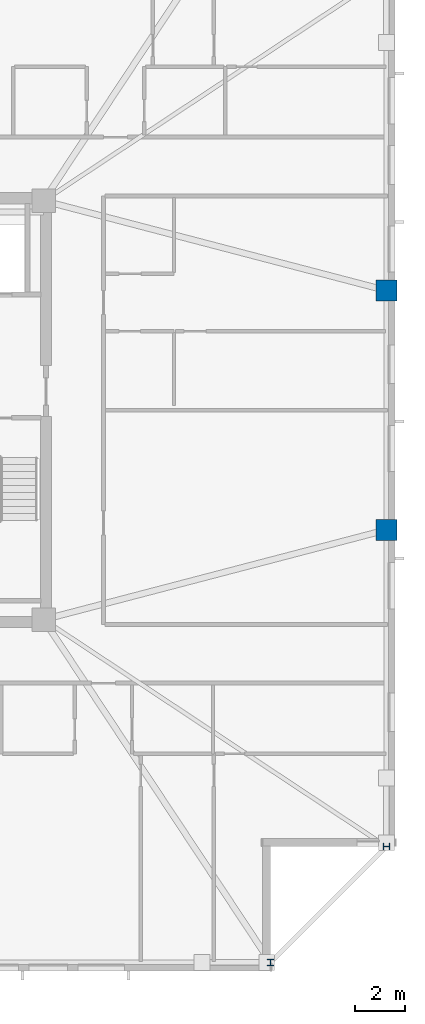
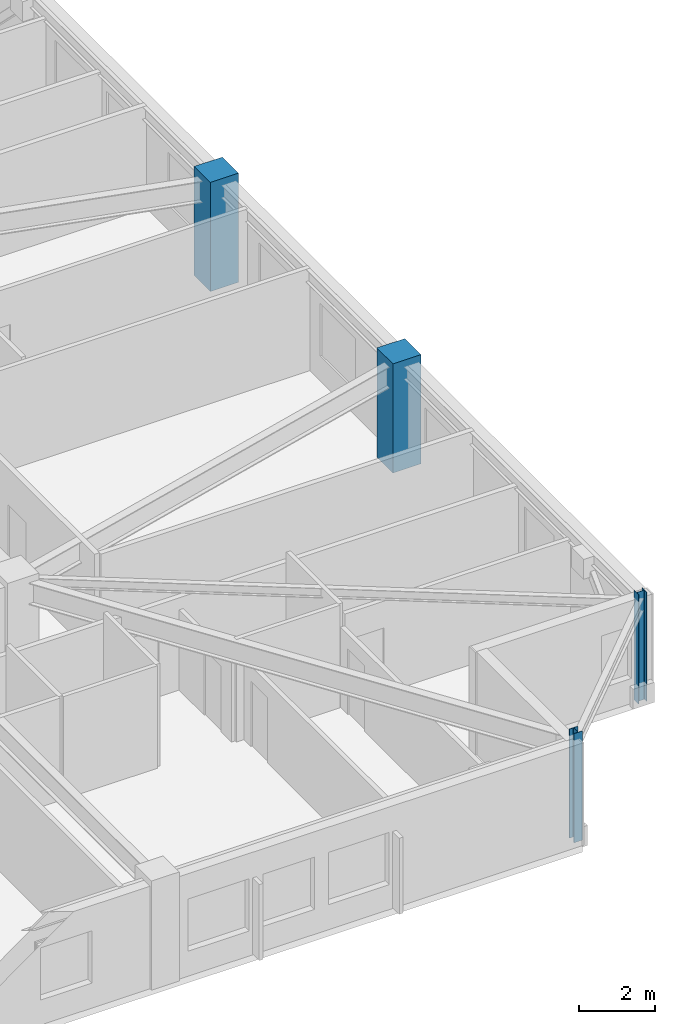
# One storey, part 3 of 17: 4 columns.
"""IFC4 building model written with IfcOpenShell, lengths in metres."""

from ifc_helpers import new_model, si_unit, direction, frame, origin, origin_2d, place, context, subcontext, project, spatial, rectangle, i_section, extrude, material, material_profile, profile_set, type_object, element, save


model = new_model("IFC4")

# Units and contexts
model_context = context("Model", 3, precision=1e-05, world=origin(), true_north=direction((0.0, 1.0)))
body_context = subcontext(model_context, "Body", "Model", "MODEL_VIEW")
ifc_project = project(units=[si_unit("LENGTHUNIT", "METRE"), si_unit("AREAUNIT", "SQUARE_METRE"), si_unit("VOLUMEUNIT", "CUBIC_METRE"), si_unit("PLANEANGLEUNIT", "RADIAN"), si_unit("MASSUNIT", "GRAM", prefix="KILO")], contexts=[model_context])

# Site, building, storey
site_placement = place(None, origin())
site = spatial("IfcSite", under=ifc_project, at=site_placement, CompositionType="ELEMENT")
building_placement = place(site_placement, origin())
building = spatial("IfcBuilding", under=site, at=building_placement, Name="Cairnveth Concourse Tower", CompositionType="ELEMENT")
storey_placement = place(building_placement, frame((0.0, 0.0, 209.5)))
storey = spatial("IfcBuildingStorey", under=building, at=storey_placement, Name="L57", CompositionType="ELEMENT", Elevation=209.5)

# Columns
ifc_material_1 = material(Name="Concrete N65 (65 MPa)", Category="concrete")
ifc_material_profile_1 = material_profile(ifc_material_1, rectangle(XDim=0.85009765625, YDim=0.85009765625, at=origin_2d()), Name="RC-COL-850x850")
ifc_profile_set_1 = profile_set([ifc_material_profile_1], Name="Concrete N65 (65 MPa)")
column_type_1 = type_object("IfcColumnType", Name="PERIMETER PIER COLUMN 850X850", PredefinedType="COLUMN", material=ifc_profile_set_1)
for number, where, z_axis, x_axis, name in (
    (1, (74.14990234375, 34.199951171875, 0.0), (0.0, 0.0, 1.0), (0.0, 1.0, 0.0), "Column P-E2 L57"),
    (2, (74.14990234375, 43.800048828125, 0.0), (0.0, 0.0, 1.0), (0.0, 1.0, 0.0), "Column P-E3 L57"),
):
    element("IfcColumn", number, at=place(storey_placement, frame(where, z_axis=z_axis, x_axis=x_axis)), inside=storey, type_object=column_type_1, Name=name, PredefinedType="COLUMN", context=body_context, shape_type="SweptSolid", body=[
        extrude(rectangle(XDim=0.85009765625, YDim=0.85009765625, at=origin_2d()), origin(), (0.0, 0.0, 1.0), 3.5),
    ])
ifc_material_2 = material(Name="Steel Grade 350", Category="steel")
ifc_material_profile_2 = material_profile(ifc_material_2, i_section(OverallWidth=0.256103515625, OverallDepth=0.260009765625, WebThickness=0.010498046875, FlangeThickness=0.017333984375, FilletRadius=0.012939453125, at=origin_2d()), Name="250UC89.5")
ifc_profile_set_2 = profile_set([ifc_material_profile_2], Name="Steel Grade 350")
column_type_2 = type_object("IfcColumnType", Name="UNIVERSAL STEEL COLUMN 250UC89.5", PredefinedType="COLUMN", material=ifc_profile_set_2)
for number, where, z_axis, x_axis, name in (
    (3, (69.5, 16.85009765625, 0.0), (0.0, 0.0, 1.0), (1.0, 0.0, 0.0), "Column P-S4 L57"),
    (4, (74.14990234375, 21.5, 0.0), (0.0, 0.0, 1.0), (0.0, 1.0, 0.0), "Column P-E1 L57"),
):
    element("IfcColumn", number, at=place(storey_placement, frame(where, z_axis=z_axis, x_axis=x_axis)), inside=storey, type_object=column_type_2, Name=name, PredefinedType="COLUMN", context=body_context, shape_type="SweptSolid", body=[
        extrude(i_section(OverallWidth=0.256103515625, OverallDepth=0.260009765625, WebThickness=0.010498046875, FlangeThickness=0.017333984375, FilletRadius=0.012939453125, at=origin_2d()), origin(), (0.0, 0.0, 1.0), 3.5),
    ])

save(model, "model.ifc")
